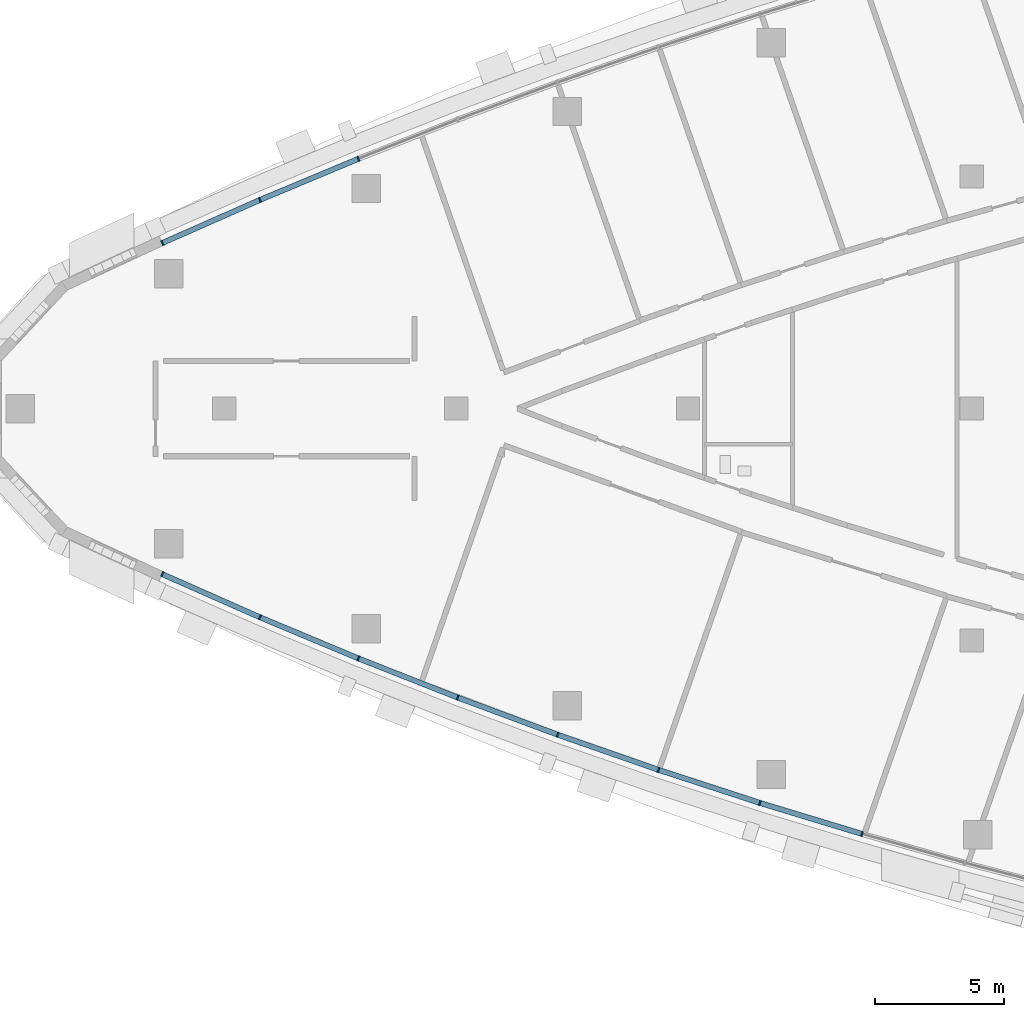
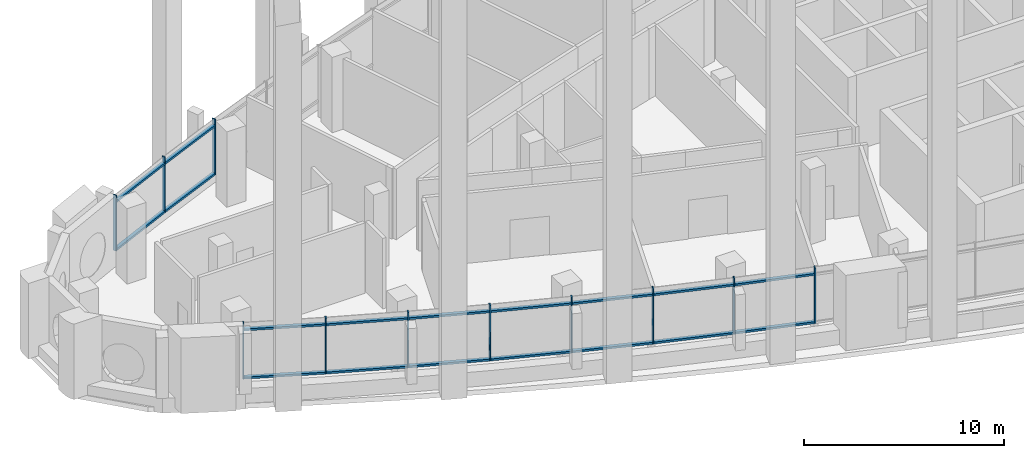
# One storey, part 2 of 15: 29 members, 6 elements without a shape of their own.
"""IFC4 building model written with IfcOpenShell, lengths in metres."""

from ifc_helpers import new_model, si_unit, direction, frame, origin, origin_2d, place, context, subcontext, project, spatial, rectangle, extrude, material, layer, layer_set, material_profile, profile_set, type_object, element, aggregate, save


model = new_model("IFC4")

# Units and contexts
model_context = context("Model", 3, precision=1e-05, world=origin(), true_north=direction((0.0, 1.0)))
body_context = subcontext(model_context, "Body", "Model", "MODEL_VIEW")
ifc_project = project(units=[si_unit("LENGTHUNIT", "METRE"), si_unit("AREAUNIT", "SQUARE_METRE"), si_unit("VOLUMEUNIT", "CUBIC_METRE"), si_unit("PLANEANGLEUNIT", "RADIAN"), si_unit("MASSUNIT", "GRAM", prefix="KILO")], contexts=[model_context])

# Site, building, storey
site_placement = place(None, origin())
site = spatial("IfcSite", under=ifc_project, at=site_placement, CompositionType="ELEMENT")
building_placement = place(site_placement, origin())
building = spatial("IfcBuilding", under=site, at=building_placement, Name="Ostrand Prow Hotel Tower", CompositionType="ELEMENT")
storey_placement = place(building_placement, frame((0.0, 0.0, 263.300048828125)))
storey = spatial("IfcBuildingStorey", under=building, at=storey_placement, Name="L66", CompositionType="ELEMENT", Elevation=263.300048828125)

# Curtain wall, members
ifc_material_1 = material(Name="Insulated glass in bronze anodised frame", Category="glass")
ifc_layer = layer(ifc_material_1, 0.199951171875)
ifc_layer_set = layer_set([ifc_layer], Name="Insulated glass in bronze anodised frame")
curtain_wall_type = type_object("IfcCurtainWallType", Name="Sky lobby full-height curtain wall", PredefinedType="NOTDEFINED", material=ifc_layer_set)
curtain_wall_1_placement = place(storey_placement, origin())
curtain_wall_1 = element("IfcCurtainWall", 1, at=curtain_wall_1_placement, inside=storey, type_object=curtain_wall_type, Name="CW3 run CWS1", PredefinedType="NOTDEFINED")
ifc_material_2 = material(Name="Bronze anodised aluminium", Category="aluminium")
ifc_material_profile_1 = material_profile(ifc_material_2, rectangle(XDim=0.199951171875, YDim=0.06005859375, at=origin_2d()), Name="Mullion 60x200 bronze anodised aluminium")
ifc_profile_set_1 = profile_set([ifc_material_profile_1], Name="Bronze anodised aluminium")
member_type_1 = type_object("IfcMemberType", Name="Mullion 60x200 bronze anodised aluminium", PredefinedType="MULLION", material=ifc_profile_set_1)
member_1_placement = place(storey_placement, frame((13.60009765625, -6.423583984375, 0.89990234375), z_axis=(0.0, 0.0, 1.0), x_axis=(0.403939694592, 0.914785615941, 0.0)))
member_1 = element("IfcMember", 2, at=member_1_placement, type_object=member_type_1, Name="CW3 mullion 1", PredefinedType="MULLION", context=body_context, shape_type="SweptSolid", body=[
    extrude(rectangle(XDim=0.199951171875, YDim=0.06005859375, at=origin_2d()), origin(), (0.0, 0.0, 1.0), 3.400146484375),
])
member_2_placement = place(storey_placement, frame((17.386962890625, -8.095947265625, 0.89990234375), z_axis=(0.0, 0.0, 1.0), x_axis=(0.385471263659, 0.922719840955, 0.0)))
member_2 = element("IfcMember", 3, at=member_2_placement, type_object=member_type_1, Name="CW3 mullion 2", PredefinedType="MULLION", context=body_context, shape_type="SweptSolid", body=[
    extrude(rectangle(XDim=0.199951171875, YDim=0.06005859375, at=origin_2d()), origin(), (0.0, 0.0, 1.0), 3.400146484375),
])
member_3_placement = place(storey_placement, frame((21.206787109375, -9.691650390625, 0.89990234375), z_axis=(0.0, 0.0, 1.0), x_axis=(0.385471263659, 0.922719840955, 0.0)))
member_3 = element("IfcMember", 4, at=member_3_placement, type_object=member_type_1, Name="CW3 mullion 3", PredefinedType="MULLION", context=body_context, shape_type="SweptSolid", body=[
    extrude(rectangle(XDim=0.199951171875, YDim=0.06005859375, at=origin_2d()), origin(), (0.0, 0.0, 1.0), 3.400146484375),
])

curtain_wall_2_placement = place(storey_placement, origin())
curtain_wall_2 = element("IfcCurtainWall", 5, at=curtain_wall_2_placement, inside=storey, type_object=curtain_wall_type, Name="CW3 run CWS2", PredefinedType="NOTDEFINED")
member_4_placement = place(storey_placement, frame((25.05810546875, -11.210205078125, 0.89990234375), z_axis=(0.0, 0.0, 1.0), x_axis=(0.348071422738, 0.937468017947, 0.0)))
member_4 = element("IfcMember", 6, at=member_4_placement, type_object=member_type_1, Name="CW3 mullion 2", PredefinedType="MULLION", context=body_context, shape_type="SweptSolid", body=[
    extrude(rectangle(XDim=0.199951171875, YDim=0.06005859375, at=origin_2d()), origin(), (0.0, 0.0, 1.0), 3.400146484375),
])
member_5_placement = place(storey_placement, frame((28.93896484375, -12.6513671875, 0.89990234375), z_axis=(0.0, 0.0, 1.0), x_axis=(0.348071422738, 0.937468017947, 0.0)))
member_5 = element("IfcMember", 7, at=member_5_placement, type_object=member_type_1, Name="CW3 mullion 3", PredefinedType="MULLION", context=body_context, shape_type="SweptSolid", body=[
    extrude(rectangle(XDim=0.199951171875, YDim=0.06005859375, at=origin_2d()), origin(), (0.0, 0.0, 1.0), 3.400146484375),
])

curtain_wall_3_placement = place(storey_placement, origin())
curtain_wall_3 = element("IfcCurtainWall", 8, at=curtain_wall_3_placement, inside=storey, type_object=curtain_wall_type, Name="CW3 run CWS3", PredefinedType="NOTDEFINED")
member_6_placement = place(storey_placement, frame((32.84814453125, -14.013916015625, 0.89990234375), z_axis=(0.0, 0.0, 1.0), x_axis=(0.310110668289, 0.950700464612, 0.0)))
member_6 = element("IfcMember", 9, at=member_6_placement, type_object=member_type_1, Name="CW3 mullion 2", PredefinedType="MULLION", context=body_context, shape_type="SweptSolid", body=[
    extrude(rectangle(XDim=0.199951171875, YDim=0.06005859375, at=origin_2d()), origin(), (0.0, 0.0, 1.0), 3.400146484375),
])
member_7_placement = place(storey_placement, frame((36.78369140625, -15.297607421875, 0.89990234375), z_axis=(0.0, 0.0, 1.0), x_axis=(0.310110668289, 0.950700464612, 0.0)))
member_7 = element("IfcMember", 10, at=member_7_placement, type_object=member_type_1, Name="CW3 mullion 3", PredefinedType="MULLION", context=body_context, shape_type="SweptSolid", body=[
    extrude(rectangle(XDim=0.199951171875, YDim=0.06005859375, at=origin_2d()), origin(), (0.0, 0.0, 1.0), 3.400146484375),
])

# Curtain wall, member
curtain_wall_4_placement = place(storey_placement, origin())
curtain_wall_4 = element("IfcCurtainWall", 11, at=curtain_wall_4_placement, inside=storey, type_object=curtain_wall_type, Name="CW3 run CWS4", PredefinedType="NOTDEFINED")
member_8_placement = place(storey_placement, frame((40.744384765625, -16.502197265625, 0.89990234375), z_axis=(0.0, 0.0, 1.0), x_axis=(0.271648738865, 0.962396468548, 0.0)))
member_8 = element("IfcMember", 12, at=member_8_placement, type_object=member_type_1, Name="CW3 mullion 2", PredefinedType="MULLION", context=body_context, shape_type="SweptSolid", body=[
    extrude(rectangle(XDim=0.199951171875, YDim=0.06005859375, at=origin_2d()), origin(), (0.0, 0.0, 1.0), 3.400146484375),
])

curtain_wall_5_placement = place(storey_placement, origin())
curtain_wall_5 = element("IfcCurtainWall", 13, at=curtain_wall_5_placement, inside=storey, type_object=curtain_wall_type, Name="CW3 run CWN4", PredefinedType="NOTDEFINED")
member_9_placement = place(storey_placement, frame((21.206787109375, 9.691650390625, 0.89990234375), z_axis=(0.0, 0.0, 1.0), x_axis=(0.366845465248, -0.930281895249, 0.0)))
member_9 = element("IfcMember", 14, at=member_9_placement, type_object=member_type_1, Name="CW3 mullion 3", PredefinedType="MULLION", context=body_context, shape_type="SweptSolid", body=[
    extrude(rectangle(XDim=0.199951171875, YDim=0.06005859375, at=origin_2d()), origin(), (0.0, 0.0, 1.0), 3.400146484375),
])
aggregate(curtain_wall_5, [member_9])

# Curtain wall, members
curtain_wall_6_placement = place(storey_placement, origin())
curtain_wall_6 = element("IfcCurtainWall", 15, at=curtain_wall_6_placement, inside=storey, type_object=curtain_wall_type, Name="CW3 run CWN5", PredefinedType="NOTDEFINED")
member_10_placement = place(storey_placement, frame((17.386962890625, 8.095947265625, 0.89990234375), z_axis=(0.0, 0.0, 1.0), x_axis=(0.403939694592, -0.914785615941, 0.0)))
member_10 = element("IfcMember", 16, at=member_10_placement, type_object=member_type_1, Name="CW3 mullion 2", PredefinedType="MULLION", context=body_context, shape_type="SweptSolid", body=[
    extrude(rectangle(XDim=0.199951171875, YDim=0.06005859375, at=origin_2d()), origin(), (0.0, 0.0, 1.0), 3.400146484375),
])
member_11_placement = place(storey_placement, frame((13.60009765625, 6.423583984375, 0.89990234375), z_axis=(0.0, 0.0, 1.0), x_axis=(0.403939694592, -0.914785615941, 0.0)))
member_11 = element("IfcMember", 17, at=member_11_placement, type_object=member_type_1, Name="CW3 mullion 3", PredefinedType="MULLION", context=body_context, shape_type="SweptSolid", body=[
    extrude(rectangle(XDim=0.199951171875, YDim=0.06005859375, at=origin_2d()), origin(), (0.0, 0.0, 1.0), 3.400146484375),
])

# Member
ifc_material_3 = material(Name="Bronze anodised aluminium", Category="aluminium")
ifc_material_profile_2 = material_profile(ifc_material_3, rectangle(XDim=0.199951171875, YDim=0.1201171875, at=origin_2d()), Name="Transom 120x200 bronze anodised aluminium")
ifc_profile_set_2 = profile_set([ifc_material_profile_2], Name="Bronze anodised aluminium")
member_type_2 = type_object("IfcMemberType", Name="Transom 120x200 bronze anodised aluminium", PredefinedType="USERDEFINED", material=ifc_profile_set_2)
member_12_placement = place(storey_placement, frame((13.62744140625, -6.435791015625, 0.9599609375), z_axis=(0.914791011182, -0.403927475991, 0.0), x_axis=(0.403927475991, 0.914791011182, 0.0)))
member_12 = element("IfcMember", 18, at=member_12_placement, type_object=member_type_2, Name="CW3 transom 1.1", ObjectType="TRANSOM", PredefinedType="USERDEFINED", context=body_context, shape_type="SweptSolid", body=[
    extrude(rectangle(XDim=0.199951171875, YDim=0.1201171875, at=origin_2d()), origin(), (0.0, 0.0, 1.0), 4.079833984375),
])

member_13_placement = place(storey_placement, frame((13.62744140625, -6.435791015625, 3.89990234375), z_axis=(0.914791011182, -0.403927475991, 0.0), x_axis=(0.403927475991, 0.914791011182, 0.0)))
member_13 = element("IfcMember", 19, at=member_13_placement, type_object=member_type_2, Name="CW3 transom 1.2", ObjectType="TRANSOM", PredefinedType="USERDEFINED", context=body_context, shape_type="SweptSolid", body=[
    extrude(rectangle(XDim=0.199951171875, YDim=0.1201171875, at=origin_2d()), origin(), (0.0, 0.0, 1.0), 4.079833984375),
])

member_14_placement = place(storey_placement, frame((17.414794921875, -8.107421875, 0.9599609375), z_axis=(0.922706465875, -0.385503278628, 0.0), x_axis=(0.385503278628, 0.922706465875, 0.0)))
member_14 = element("IfcMember", 20, at=member_14_placement, type_object=member_type_2, Name="CW3 transom 2.1", ObjectType="TRANSOM", PredefinedType="USERDEFINED", context=body_context, shape_type="SweptSolid", body=[
    extrude(rectangle(XDim=0.199951171875, YDim=0.1201171875, at=origin_2d()), origin(), (0.0, 0.0, 1.0), 4.079833984375),
])

member_15_placement = place(storey_placement, frame((17.414794921875, -8.107421875, 3.89990234375), z_axis=(0.922706465875, -0.385503278628, 0.0), x_axis=(0.385503278628, 0.922706465875, 0.0)))
member_15 = element("IfcMember", 21, at=member_15_placement, type_object=member_type_2, Name="CW3 transom 2.2", ObjectType="TRANSOM", PredefinedType="USERDEFINED", context=body_context, shape_type="SweptSolid", body=[
    extrude(rectangle(XDim=0.199951171875, YDim=0.1201171875, at=origin_2d()), origin(), (0.0, 0.0, 1.0), 4.079833984375),
])

aggregate(curtain_wall_1, [member_1, member_2, member_3, member_12, member_13, member_14, member_15])

member_16_placement = place(storey_placement, frame((21.23486328125, -9.70263671875, 0.9599609375), z_axis=(0.930289613186, -0.366825892759, 0.0), x_axis=(0.366825892759, 0.930289613186, 0.0)))
member_16 = element("IfcMember", 22, at=member_16_placement, type_object=member_type_2, Name="CW3 transom 1.1", ObjectType="TRANSOM", PredefinedType="USERDEFINED", context=body_context, shape_type="SweptSolid", body=[
    extrude(rectangle(XDim=0.199951171875, YDim=0.1201171875, at=origin_2d()), origin(), (0.0, 0.0, 1.0), 4.079833984375),
])

member_17_placement = place(storey_placement, frame((21.23486328125, -9.70263671875, 3.89990234375), z_axis=(0.930289613186, -0.366825892759, 0.0), x_axis=(0.366825892759, 0.930289613186, 0.0)))
member_17 = element("IfcMember", 23, at=member_17_placement, type_object=member_type_2, Name="CW3 transom 1.2", ObjectType="TRANSOM", PredefinedType="USERDEFINED", context=body_context, shape_type="SweptSolid", body=[
    extrude(rectangle(XDim=0.199951171875, YDim=0.1201171875, at=origin_2d()), origin(), (0.0, 0.0, 1.0), 4.079833984375),
])

member_18_placement = place(storey_placement, frame((25.086181640625, -11.220703125, 0.9599609375), z_axis=(0.937460424566, -0.348091873465, 0.0), x_axis=(0.348091873465, 0.937460424566, 0.0)))
member_18 = element("IfcMember", 24, at=member_18_placement, type_object=member_type_2, Name="CW3 transom 2.1", ObjectType="TRANSOM", PredefinedType="USERDEFINED", context=body_context, shape_type="SweptSolid", body=[
    extrude(rectangle(XDim=0.199951171875, YDim=0.1201171875, at=origin_2d()), origin(), (0.0, 0.0, 1.0), 4.079833984375),
])

member_19_placement = place(storey_placement, frame((25.086181640625, -11.220703125, 3.89990234375), z_axis=(0.937460424566, -0.348091873465, 0.0), x_axis=(0.348091873465, 0.937460424566, 0.0)))
member_19 = element("IfcMember", 25, at=member_19_placement, type_object=member_type_2, Name="CW3 transom 2.2", ObjectType="TRANSOM", PredefinedType="USERDEFINED", context=body_context, shape_type="SweptSolid", body=[
    extrude(rectangle(XDim=0.199951171875, YDim=0.1201171875, at=origin_2d()), origin(), (0.0, 0.0, 1.0), 4.079833984375),
])

aggregate(curtain_wall_2, [member_4, member_5, member_16, member_17, member_18, member_19])

member_20_placement = place(storey_placement, frame((28.96728515625, -12.6611328125, 0.9599609375), z_axis=(0.944268108385, -0.329177367822, 0.0), x_axis=(0.329177367822, 0.944268108385, 0.0)))
member_20 = element("IfcMember", 26, at=member_20_placement, type_object=member_type_2, Name="CW3 transom 1.1", ObjectType="TRANSOM", PredefinedType="USERDEFINED", context=body_context, shape_type="SweptSolid", body=[
    extrude(rectangle(XDim=0.199951171875, YDim=0.1201171875, at=origin_2d()), origin(), (0.0, 0.0, 1.0), 4.079833984375),
])

member_21_placement = place(storey_placement, frame((28.96728515625, -12.6611328125, 3.89990234375), z_axis=(0.944268108385, -0.329177367822, 0.0), x_axis=(0.329177367822, 0.944268108385, 0.0)))
member_21 = element("IfcMember", 27, at=member_21_placement, type_object=member_type_2, Name="CW3 transom 1.2", ObjectType="TRANSOM", PredefinedType="USERDEFINED", context=body_context, shape_type="SweptSolid", body=[
    extrude(rectangle(XDim=0.199951171875, YDim=0.1201171875, at=origin_2d()), origin(), (0.0, 0.0, 1.0), 4.079833984375),
])

member_22_placement = place(storey_placement, frame((32.876708984375, -14.023193359375, 0.9599609375), z_axis=(0.950704145978, -0.310099382165, 0.0), x_axis=(0.310099382165, 0.950704145978, 0.0)))
member_22 = element("IfcMember", 28, at=member_22_placement, type_object=member_type_2, Name="CW3 transom 2.1", ObjectType="TRANSOM", PredefinedType="USERDEFINED", context=body_context, shape_type="SweptSolid", body=[
    extrude(rectangle(XDim=0.199951171875, YDim=0.1201171875, at=origin_2d()), origin(), (0.0, 0.0, 1.0), 4.079833984375),
])

member_23_placement = place(storey_placement, frame((32.876708984375, -14.023193359375, 3.89990234375), z_axis=(0.950704145978, -0.310099382165, 0.0), x_axis=(0.310099382165, 0.950704145978, 0.0)))
member_23 = element("IfcMember", 29, at=member_23_placement, type_object=member_type_2, Name="CW3 transom 2.2", ObjectType="TRANSOM", PredefinedType="USERDEFINED", context=body_context, shape_type="SweptSolid", body=[
    extrude(rectangle(XDim=0.199951171875, YDim=0.1201171875, at=origin_2d()), origin(), (0.0, 0.0, 1.0), 4.079833984375),
])

aggregate(curtain_wall_3, [member_6, member_7, member_20, member_21, member_22, member_23])

member_24_placement = place(storey_placement, frame((36.8125, -15.306396484375, 0.9599609375), z_axis=(0.956739081124, -0.290947298751, 0.0), x_axis=(0.290947298751, 0.956739081124, 0.0)))
member_24 = element("IfcMember", 30, at=member_24_placement, type_object=member_type_2, Name="CW3 transom 1.1", ObjectType="TRANSOM", PredefinedType="USERDEFINED", context=body_context, shape_type="SweptSolid", body=[
    extrude(rectangle(XDim=0.199951171875, YDim=0.1201171875, at=origin_2d()), origin(), (0.0, 0.0, 1.0), 4.079833984375),
])

member_25_placement = place(storey_placement, frame((36.8125, -15.306396484375, 3.89990234375), z_axis=(0.956739081124, -0.290947298751, 0.0), x_axis=(0.290947298751, 0.956739081124, 0.0)))
member_25 = element("IfcMember", 31, at=member_25_placement, type_object=member_type_2, Name="CW3 transom 1.2", ObjectType="TRANSOM", PredefinedType="USERDEFINED", context=body_context, shape_type="SweptSolid", body=[
    extrude(rectangle(XDim=0.199951171875, YDim=0.1201171875, at=origin_2d()), origin(), (0.0, 0.0, 1.0), 4.079833984375),
])

aggregate(curtain_wall_4, [member_8, member_24, member_25])

member_26_placement = place(storey_placement, frame((21.17919921875, 9.68017578125, 0.9599609375), z_axis=(-0.922706465875, -0.385503278628, 0.0), x_axis=(0.385503278628, -0.922706465875, 0.0)))
member_26 = element("IfcMember", 32, at=member_26_placement, type_object=member_type_2, Name="CW3 transom 1.1", ObjectType="TRANSOM", PredefinedType="USERDEFINED", context=body_context, shape_type="SweptSolid", body=[
    extrude(rectangle(XDim=0.199951171875, YDim=0.1201171875, at=origin_2d()), origin(), (0.0, 0.0, 1.0), 4.079833984375),
])

member_27_placement = place(storey_placement, frame((21.17919921875, 9.68017578125, 3.89990234375), z_axis=(-0.922706465875, -0.385503278628, 0.0), x_axis=(0.385503278628, -0.922706465875, 0.0)))
member_27 = element("IfcMember", 33, at=member_27_placement, type_object=member_type_2, Name="CW3 transom 1.2", ObjectType="TRANSOM", PredefinedType="USERDEFINED", context=body_context, shape_type="SweptSolid", body=[
    extrude(rectangle(XDim=0.199951171875, YDim=0.1201171875, at=origin_2d()), origin(), (0.0, 0.0, 1.0), 4.079833984375),
])

member_28_placement = place(storey_placement, frame((17.359619140625, 8.083740234375, 0.9599609375), z_axis=(-0.914791011182, -0.403927475991, 0.0), x_axis=(0.403927475991, -0.914791011182, 0.0)))
member_28 = element("IfcMember", 34, at=member_28_placement, type_object=member_type_2, Name="CW3 transom 2.1", ObjectType="TRANSOM", PredefinedType="USERDEFINED", context=body_context, shape_type="SweptSolid", body=[
    extrude(rectangle(XDim=0.199951171875, YDim=0.1201171875, at=origin_2d()), origin(), (0.0, 0.0, 1.0), 4.079833984375),
])

member_29_placement = place(storey_placement, frame((17.359619140625, 8.083740234375, 3.89990234375), z_axis=(-0.914791011182, -0.403927475991, 0.0), x_axis=(0.403927475991, -0.914791011182, 0.0)))
member_29 = element("IfcMember", 35, at=member_29_placement, type_object=member_type_2, Name="CW3 transom 2.2", ObjectType="TRANSOM", PredefinedType="USERDEFINED", context=body_context, shape_type="SweptSolid", body=[
    extrude(rectangle(XDim=0.199951171875, YDim=0.1201171875, at=origin_2d()), origin(), (0.0, 0.0, 1.0), 4.079833984375),
])

aggregate(curtain_wall_6, [member_10, member_11, member_26, member_27, member_28, member_29])

save(model, "model.ifc")
